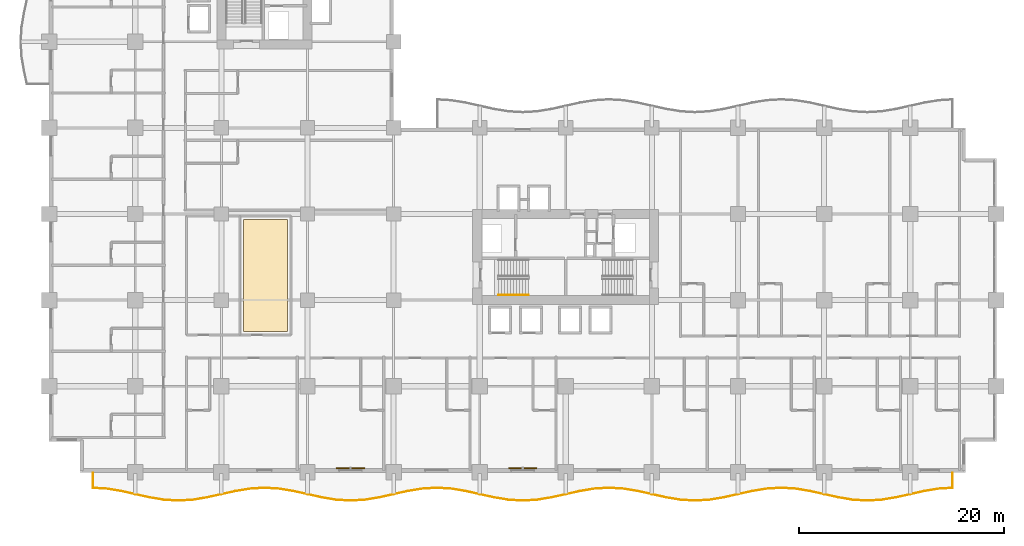
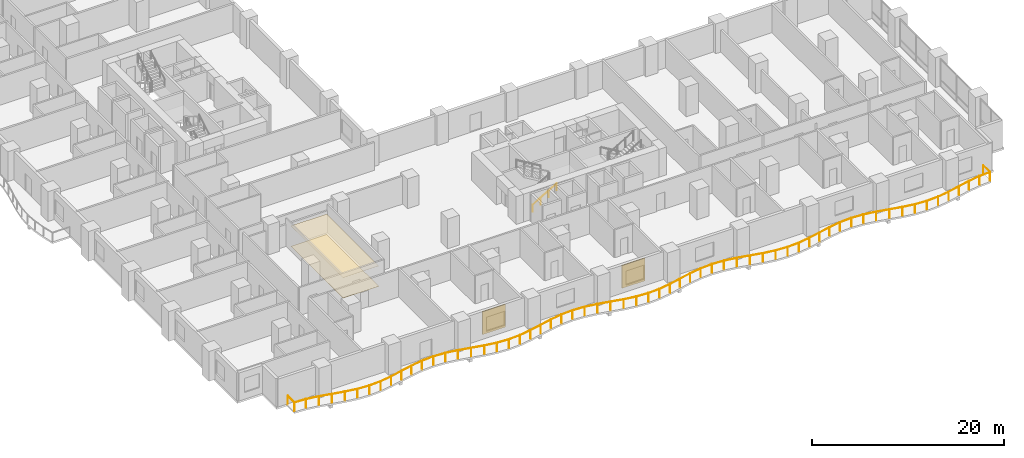
# One storey, part 23 of 26: 2 coverings, 2 railings, 2 shading devices.
"""IFC4 building model written with IfcOpenShell, lengths in metres."""

import ifcopenshell
import ifcopenshell.guid

model = None  # the IFC model being written
_history = None  # IfcOwnerHistory: only IFC2X3 demands one
_inside = {}  # id of a spatial element -> (the spatial element, [elements in it])
_under = {}  # id of a project, library or spatial element -> (it, [spatial elements below it])
_declared = {}  # id of a project -> (the project, [libraries it declares])
_typed = {}  # id of a type object -> (the type object, [elements of that type])
_made_of = {}  # id of a material, layer set ... -> (it, [elements and type objects made of it])


def new_model(schema):
    """Start an empty IFC model of exactly this schema.

    Asked for "IFC4X3", IfcOpenShell would pick the latest addendum, in which some entities
    have other attributes; the version numbers below select the first issue.
    IFC2X3 requires an IfcOwnerHistory on every rooted entity: one is made here for all.
    """
    global model, _history
    if schema == "IFC4X3":
        model = ifcopenshell.file(schema_version=(4, 3, 0, 0))
    else:
        model = ifcopenshell.file(schema=schema)
    _inside.clear()
    _under.clear()
    _declared.clear()
    _typed.clear()
    _made_of.clear()
    _history = None
    if model.schema == "IFC2X3":
        org = make("IfcOrganization", Name="unknown")
        user = make(
            "IfcPersonAndOrganization",
            ThePerson=make("IfcPerson", FamilyName="unknown"),
            TheOrganization=org,
        )
        app = make(
            "IfcApplication",
            ApplicationDeveloper=org,
            Version="unknown",
            ApplicationFullName="unknown",
            ApplicationIdentifier="unknown",
        )
        _history = make(
            "IfcOwnerHistory",
            OwningUser=user,
            OwningApplication=app,
            ChangeAction="ADDED",
            CreationDate=0,
        )
    return model


def make(cls, **values):
    """One entity of the class cls with the attributes given. An attribute that is None is left unset."""
    return model.create_entity(
        cls, **{name: value for name, value in values.items() if value is not None}
    )


def rooted(cls, **values):
    """An entity with a GlobalId (a new one), such as an element, a storey or a relation."""
    return make(cls, GlobalId=ifcopenshell.guid.new(), OwnerHistory=_history, **values)


def si_unit(unit_type, name, prefix=None):
    """IfcSIUnit, for example si_unit("LENGTHUNIT", "METRE", prefix="MILLI")."""
    return make("IfcSIUnit", UnitType=unit_type, Prefix=prefix, Name=name)


def assignment(units):
    """IfcUnitAssignment: the units of a project."""
    return None if units is None else make("IfcUnitAssignment", Units=units)


def point(xyz):
    """IfcCartesianPoint."""
    return None if xyz is None else make("IfcCartesianPoint", Coordinates=xyz)


def direction(xyz):
    """IfcDirection."""
    return None if xyz is None else make("IfcDirection", DirectionRatios=xyz)


def frame(location, z_axis=None, x_axis=None):
    """IfcAxis2Placement3D, a coordinate frame: its origin and axes. An axis left out is left unset."""
    return make(
        "IfcAxis2Placement3D",
        Location=point(location),
        Axis=direction(z_axis),
        RefDirection=direction(x_axis),
    )


def frame_2d(location, x_axis=None):
    """IfcAxis2Placement2D, a coordinate frame in the plane: its origin and x axis."""
    return make(
        "IfcAxis2Placement2D", Location=point(location), RefDirection=direction(x_axis)
    )


def origin():
    """The frame at (0, 0, 0) with its axes left unset."""
    return frame((0.0, 0.0, 0.0))


def origin_2d():
    """The frame at (0, 0) in the plane with its x axis left unset."""
    return frame_2d((0.0, 0.0))


def place(relative_to, where):
    """IfcLocalPlacement: puts the frame where relative to a parent placement (None: the world)."""
    return make(
        "IfcLocalPlacement", PlacementRelTo=relative_to, RelativePlacement=where
    )


def context(
    kind, dimensions, precision=None, world=None, true_north=None, identifier=None
):
    """IfcGeometricRepresentationContext, for example the 3D "Model" context."""
    return make(
        "IfcGeometricRepresentationContext",
        ContextIdentifier=identifier,
        ContextType=kind,
        CoordinateSpaceDimension=dimensions,
        Precision=precision,
        WorldCoordinateSystem=world,
        TrueNorth=true_north,
    )


def subcontext(parent, identifier, kind, view, scale=None):
    """IfcGeometricRepresentationSubContext, for example "Body" below "Model"."""
    return make(
        "IfcGeometricRepresentationSubContext",
        ContextIdentifier=identifier,
        ContextType=kind,
        ParentContext=parent,
        TargetScale=scale,
        TargetView=view,
    )


def project(units=None, contexts=None):
    """IfcProject with its units and contexts."""
    return rooted(
        "IfcProject",
        Name="project",
        RepresentationContexts=contexts,
        UnitsInContext=assignment(units),
    )


def spatial(cls, under=None, at=None, **own):
    """A site, building, storey or space (cls), placed at a placement, below another one or the project."""
    s = rooted(cls, ObjectPlacement=at, **own)
    if under is not None:
        _under.setdefault(under.id(), (under, []))[1].append(s)
    return s


def polyline(points):
    """IfcPolyline through the points."""
    return make("IfcPolyline", Points=[point(p) for p in points])


def profile(cls, at=None, kind="AREA", **sizes):
    """A parametric profile (cls). Its sizes go by their IFC names, for example OverallWidth=200.0."""
    return make(cls, ProfileType=kind, Position=at, **sizes)


def rectangle(**sizes):
    """IfcRectangleProfileDef."""
    return profile("IfcRectangleProfileDef", **sizes)


def circle(**sizes):
    """IfcCircleProfileDef."""
    return profile("IfcCircleProfileDef", **sizes)


def outline(outer, holes=None, kind="AREA"):
    """IfcArbitraryClosedProfileDef: a profile drawn as a closed curve; with holes, ...WithVoids."""
    if holes is None:
        return make("IfcArbitraryClosedProfileDef", ProfileType=kind, OuterCurve=outer)
    return make(
        "IfcArbitraryProfileDefWithVoids",
        ProfileType=kind,
        OuterCurve=outer,
        InnerCurves=holes,
    )


def extrude(swept, where, along, depth):
    """IfcExtrudedAreaSolid: the profile swept, set in the frame where, extruded along a direction by depth."""
    return make(
        "IfcExtrudedAreaSolid",
        SweptArea=swept,
        Position=where,
        ExtrudedDirection=direction(along),
        Depth=depth,
    )


def shape(context_of_items, identifier, shape_type, items):
    """IfcShapeRepresentation: the items that make up one representation, for example the "Body"."""
    return make(
        "IfcShapeRepresentation",
        ContextOfItems=context_of_items,
        RepresentationIdentifier=identifier,
        RepresentationType=shape_type,
        Items=items,
    )


def material(Name=None, Category=None):
    """IfcMaterial."""
    return make("IfcMaterial", Name=Name, Category=Category)


def layer(
    of_material, thickness, ventilated=None, Name=None, Category=None, Priority=None
):
    """IfcMaterialLayer: one layer of a wall or slab, of a material (None: an air gap)."""
    return make(
        "IfcMaterialLayer",
        Material=of_material,
        LayerThickness=thickness,
        IsVentilated=ventilated,
        Name=Name,
        Category=Category,
        Priority=Priority,
    )


def layer_set(layers, Name=None):
    """IfcMaterialLayerSet."""
    return make("IfcMaterialLayerSet", MaterialLayers=layers, LayerSetName=Name)


def made_of(thing, what):
    """Note that an element or type object is made of a material, layer set ...; save() writes the relation."""
    if what is not None:
        _made_of.setdefault(what.id(), (what, []))[1].append(thing)
    return thing


def type_object(cls, material=None, **own):
    """A type object (cls), such as IfcWallType, which elements share."""
    return made_of(rooted(cls, **own), material)


def element(
    cls,
    number,
    at=None,
    inside=None,
    cuts=None,
    type_object=None,
    material=None,
    context=None,
    identifier="Body",
    shape_type=None,
    held_by="IfcProductDefinitionShape",
    body=None,
    shapes=None,
    **own,
):
    """One element of the class cls, such as IfcWall. Its Tag is "e" and its number.

    at: its placement. inside: the storey or other place that contains it. cuts: it is an
    opening in that element (IfcRelVoidsElement). A single representation is given by context,
    identifier, shape_type and body (its items); several are given by shapes. held_by: the class
    of the entity that holds the representations. save() writes the other relations.
    """
    e = rooted(cls, Tag="e%d" % number, ObjectPlacement=at, **own)
    if body is not None:
        shapes = [shape(context, identifier, shape_type, body)]
    if shapes is not None:
        e.Representation = make(held_by, Representations=shapes)
    if inside is not None:
        _inside.setdefault(inside.id(), (inside, []))[1].append(e)
    if cuts is not None:
        rooted(
            "IfcRelVoidsElement", RelatingBuildingElement=cuts, RelatedOpeningElement=e
        )
    if type_object is not None:
        _typed.setdefault(type_object.id(), (type_object, []))[1].append(e)
    return made_of(e, material)


def aggregate(whole, parts):
    """IfcRelAggregates: a whole, such as a stair, and the parts it consists of."""
    return rooted("IfcRelAggregates", RelatingObject=whole, RelatedObjects=parts)


def save(model, path):
    """Write the relations noted so far, then the file.

    IfcRelAggregates (storeys below a building ...), IfcRelContainedInSpatialStructure (elements
    in a storey), IfcRelDefinesByType, IfcRelAssociatesMaterial and IfcRelDeclares: one each for
    every whole, place, type object, material and project.
    """
    for whole, parts in _under.values():
        aggregate(whole, parts)
    for where, things in _inside.values():
        rooted(
            "IfcRelContainedInSpatialStructure",
            RelatedElements=things,
            RelatingStructure=where,
        )
    for kind, things in _typed.values():
        rooted("IfcRelDefinesByType", RelatedObjects=things, RelatingType=kind)
    for what, things in _made_of.values():
        rooted("IfcRelAssociatesMaterial", RelatedObjects=things, RelatingMaterial=what)
    for by, libraries in _declared.values():
        rooted("IfcRelDeclares", RelatingContext=by, RelatedDefinitions=libraries)
    model.write(path)


model = new_model("IFC4")

# Units and contexts
model_context = context("Model", 3, precision=1e-05, world=origin(), true_north=direction((0.0, 1.0)))
body_context = subcontext(model_context, "Body", "Model", "MODEL_VIEW")
ifc_project = project(units=[si_unit("LENGTHUNIT", "METRE"), si_unit("AREAUNIT", "SQUARE_METRE"), si_unit("VOLUMEUNIT", "CUBIC_METRE"), si_unit("PLANEANGLEUNIT", "RADIAN"), si_unit("MASSUNIT", "GRAM", prefix="KILO")], contexts=[model_context])

# Site, building, storey
site_placement = place(None, origin())
site = spatial("IfcSite", under=ifc_project, at=site_placement, CompositionType="ELEMENT")
building_placement = place(site_placement, origin())
building = spatial("IfcBuilding", under=site, at=building_placement, Name="Koriwani Terraces Tower", CompositionType="ELEMENT")
storey_placement = place(building_placement, frame((0.0, 0.0, 39.60009765625)))
storey = spatial("IfcBuildingStorey", under=building, at=storey_placement, Name="L08", CompositionType="ELEMENT", Elevation=39.60009765625)

# Coverings
ifc_material_1 = material(Name="Fire-Rated Acoustic Gypsum Partition", Category="masonry")
ifc_layer_1 = layer(ifc_material_1, 0.02490234375, Name="Fire-Rated Acoustic Gypsum Partition")
ifc_layer_set_1 = layer_set([ifc_layer_1], Name="Fire-Rated Acoustic Gypsum Partition")
covering_type_1 = type_object("IfcCoveringType", Name="CEILING_ACOUSTIC_GYPSUM", PredefinedType="CEILING", material=ifc_layer_set_1)
covering_1_placement = place(storey_placement, frame((0.0, 0.0, 2.60498046875)))
element("IfcCovering", 1, at=covering_1_placement, inside=storey, type_object=covering_type_1, Name="L08 Suspended Acoustic Gypsum Ceiling", PredefinedType="CEILING", context=body_context, shape_type="SweptSolid", body=[
    extrude(outline(polyline([(18.949951171875, 13.75), (18.949951171875, 24.64990234375), (23.25, 24.64990234375), (23.25, 13.75), (18.949951171875, 13.75)])), origin(), (0.0, 0.0, 1.0), 0.02490234375),
])
ifc_material_2 = material(Name="Polished Andean Slate Flooring", Category="masonry")
ifc_layer_2 = layer(ifc_material_2, 0.030029296875, Name="Polished Andean Slate Flooring")
ifc_layer_set_2 = layer_set([ifc_layer_2], Name="Polished Andean Slate Flooring")
covering_type_2 = type_object("IfcCoveringType", Name="FLOORING_ANDEAN_STONE", PredefinedType="FLOORING", material=ifc_layer_set_2)
covering_2_placement = place(storey_placement, origin())
element("IfcCovering", 2, at=covering_2_placement, inside=storey, type_object=covering_type_2, Name="L08 Polished Andean Slate Floor Finish", PredefinedType="FLOORING", context=body_context, shape_type="SweptSolid", body=[
    extrude(outline(polyline([(18.949951171875, 13.75), (18.949951171875, 24.64990234375), (23.25, 24.64990234375), (23.25, 13.75), (18.949951171875, 13.75)])), origin(), (0.0, 0.0, 1.0), 0.02978515625),
])

# Railings
ifc_material_3 = material(Name="Steel ASTM A572 Grade 50", Category="steel")
railing_type_1 = type_object("IfcRailingType", Name="GUARD_BALUSTRADE_1150", PredefinedType="BALUSTRADE", material=ifc_material_3)
railing_1_placement = place(storey_placement, frame((4.280029296875, -0.080078125, 0.0)))
element("IfcRailing", 3, at=railing_1_placement, inside=storey, type_object=railing_type_1, Name="L08 Balcony Perimeter Safety Balustrade (S)", PredefinedType="BALUSTRADE", context=body_context, shape_type="SweptSolid", body=[
    extrude(circle(Radius=0.02392578125, at=origin_2d()), frame((0.0, 0.0, 1.1259765625), z_axis=(0.0, -1.0, 0.0), x_axis=(1.0, 0.0, 0.0)), (0.0, 0.0, 1.0), 1.444580078125),
    extrude(circle(Radius=0.02392578125, at=origin_2d()), frame((0.0, -1.444580078125, 1.1259765625), z_axis=(0.998211199042, -0.059786303672, 0.0), x_axis=(0.059786303672, 0.998211199042, 0.0)), (0.0, 0.0, 1.0), 1.331298828125),
    extrude(circle(Radius=0.02392578125, at=origin_2d()), frame((1.328857421875, -1.524169921875, 1.1259765625), z_axis=(0.986916749742, -0.161230670401, 0.0), x_axis=(0.161230670401, 0.986916749742, 0.0)), (0.0, 0.0, 1.0), 1.4248046875),
    extrude(circle(Radius=0.02392578125, at=origin_2d()), frame((2.735107421875, -1.75390625, 1.1259765625), z_axis=(0.975982393728, -0.217849413893, 0.0), x_axis=(0.217849413893, 0.975982393728, 0.0)), (0.0, 0.0, 1.0), 2.868896484375),
    extrude(circle(Radius=0.02392578125, at=origin_2d()), frame((5.53515625, -2.37890625, 1.1259765625), z_axis=(0.986907622111, -0.161286532042, 0.0), x_axis=(0.161286532042, 0.986907622111, 0.0)), (0.0, 0.0, 1.0), 1.412353515625),
    extrude(circle(Radius=0.02392578125, at=origin_2d()), frame((6.928955078125, -2.606689453125, 1.1259765625), z_axis=(0.998214050326, -0.059738678687, 0.0), x_axis=(0.059738678687, 0.998214050326, 0.0)), (0.0, 0.0, 1.0), 1.3935546875),
    extrude(circle(Radius=0.02392578125, at=origin_2d()), frame((8.320068359375, -2.68994140625, 1.1259765625), z_axis=(0.998214050326, 0.059738678687, 0.0), x_axis=(-0.059738678687, 0.998214050326, 0.0)), (0.0, 0.0, 1.0), 1.3935546875),
    extrude(circle(Radius=0.02392578125, at=origin_2d()), frame((9.711181640625, -2.606689453125, 1.1259765625), z_axis=(0.986903124066, 0.16131405304, 0.0), x_axis=(-0.16131405304, 0.986903124066, 0.0)), (0.0, 0.0, 1.0), 1.412109375),
    extrude(circle(Radius=0.02392578125, at=origin_2d()), frame((11.104736328125, -2.37890625, 1.1259765625), z_axis=(0.975982393728, 0.217849413893, 0.0), x_axis=(-0.217849413893, 0.975982393728, 0.0)), (0.0, 0.0, 1.0), 2.868896484375),
    extrude(circle(Radius=0.02392578125, at=origin_2d()), frame((13.90478515625, -1.75390625, 1.1259765625), z_axis=(0.986921202645, 0.161203411159, 0.0), x_axis=(-0.161203411159, 0.986921202645, 0.0)), (0.0, 0.0, 1.0), 1.425048828125),
    extrude(circle(Radius=0.02392578125, at=origin_2d()), frame((15.311279296875, -1.524169921875, 1.1259765625), z_axis=(0.998217235442, 0.059685432622, 0.0), x_axis=(-0.059685432622, 0.998217235442, 0.0)), (0.0, 0.0, 1.0), 1.4111328125),
    extrude(circle(Radius=0.02392578125, at=origin_2d()), frame((16.719970703125, -1.43994140625, 1.1259765625), z_axis=(0.998217235442, -0.059685432622, 0.0), x_axis=(0.059685432622, 0.998217235442, 0.0)), (0.0, 0.0, 1.0), 1.4111328125),
    extrude(circle(Radius=0.02392578125, at=origin_2d()), frame((18.128662109375, -1.524169921875, 1.1259765625), z_axis=(0.986921202645, -0.161203411159, 0.0), x_axis=(0.161203411159, 0.986921202645, 0.0)), (0.0, 0.0, 1.0), 1.425048828125),
    extrude(circle(Radius=0.02392578125, at=origin_2d()), frame((19.53515625, -1.75390625, 1.1259765625), z_axis=(0.975982393728, -0.217849413893, 0.0), x_axis=(0.217849413893, 0.975982393728, 0.0)), (0.0, 0.0, 1.0), 2.868896484375),
    extrude(circle(Radius=0.02392578125, at=origin_2d()), frame((22.335205078125, -2.37890625, 1.1259765625), z_axis=(0.986903124066, -0.16131405304, 0.0), x_axis=(0.16131405304, 0.986903124066, 0.0)), (0.0, 0.0, 1.0), 1.412109375),
    extrude(circle(Radius=0.02392578125, at=origin_2d()), frame((23.728759765625, -2.606689453125, 1.1259765625), z_axis=(0.998214050326, -0.059738678687, 0.0), x_axis=(0.059738678687, 0.998214050326, 0.0)), (0.0, 0.0, 1.0), 1.3935546875),
    extrude(circle(Radius=0.02392578125, at=origin_2d()), frame((25.119873046875, -2.68994140625, 1.1259765625), z_axis=(0.998214050326, 0.059738678687, 0.0), x_axis=(-0.059738678687, 0.998214050326, 0.0)), (0.0, 0.0, 1.0), 1.3935546875),
    extrude(circle(Radius=0.02392578125, at=origin_2d()), frame((26.510986328125, -2.606689453125, 1.1259765625), z_axis=(0.986907622111, 0.161286532042, 0.0), x_axis=(-0.161286532042, 0.986907622111, 0.0)), (0.0, 0.0, 1.0), 1.412353515625),
    extrude(circle(Radius=0.02392578125, at=origin_2d()), frame((27.90478515625, -2.37890625, 1.1259765625), z_axis=(0.975982393728, 0.217849413893, 0.0), x_axis=(-0.217849413893, 0.975982393728, 0.0)), (0.0, 0.0, 1.0), 2.868896484375),
    extrude(circle(Radius=0.02392578125, at=origin_2d()), frame((30.704833984375, -1.75390625, 1.1259765625), z_axis=(0.986916749742, 0.161230670401, 0.0), x_axis=(-0.161230670401, 0.986916749742, 0.0)), (0.0, 0.0, 1.0), 1.4248046875),
    extrude(circle(Radius=0.02392578125, at=origin_2d()), frame((32.111083984375, -1.524169921875, 1.1259765625), z_axis=(0.998217851573, 0.059675127152, 0.0), x_axis=(-0.059675127152, 0.998217851573, 0.0)), (0.0, 0.0, 1.0), 1.411376953125),
    extrude(circle(Radius=0.02392578125, at=origin_2d()), frame((33.52001953125, -1.43994140625, 1.1259765625), z_axis=(0.998217235442, -0.059685432622, 0.0), x_axis=(0.059685432622, 0.998217235442, 0.0)), (0.0, 0.0, 1.0), 1.4111328125),
    extrude(circle(Radius=0.02392578125, at=origin_2d()), frame((34.9287109375, -1.524169921875, 1.1259765625), z_axis=(0.986921202645, -0.161203411159, 0.0), x_axis=(0.161203411159, 0.986921202645, 0.0)), (0.0, 0.0, 1.0), 1.425048828125),
    extrude(circle(Radius=0.02392578125, at=origin_2d()), frame((36.335205078125, -1.75390625, 1.1259765625), z_axis=(0.975982393728, -0.217849413893, 0.0), x_axis=(0.217849413893, 0.975982393728, 0.0)), (0.0, 0.0, 1.0), 2.868896484375),
    extrude(circle(Radius=0.02392578125, at=origin_2d()), frame((39.13525390625, -2.37890625, 1.1259765625), z_axis=(0.986903124066, -0.16131405304, 0.0), x_axis=(0.16131405304, 0.986903124066, 0.0)), (0.0, 0.0, 1.0), 1.412109375),
    extrude(circle(Radius=0.02392578125, at=origin_2d()), frame((40.52880859375, -2.606689453125, 1.1259765625), z_axis=(0.998214050326, -0.059738678687, 0.0), x_axis=(0.059738678687, 0.998214050326, 0.0)), (0.0, 0.0, 1.0), 1.3935546875),
    extrude(circle(Radius=0.02392578125, at=origin_2d()), frame((41.919921875, -2.68994140625, 1.1259765625), z_axis=(0.998214050326, 0.059738678687, 0.0), x_axis=(-0.059738678687, 0.998214050326, 0.0)), (0.0, 0.0, 1.0), 1.3935546875),
    extrude(circle(Radius=0.02392578125, at=origin_2d()), frame((43.31103515625, -2.606689453125, 1.1259765625), z_axis=(0.986907622111, 0.161286532042, 0.0), x_axis=(-0.161286532042, 0.986907622111, 0.0)), (0.0, 0.0, 1.0), 1.412353515625),
    extrude(circle(Radius=0.02392578125, at=origin_2d()), frame((44.704833984375, -2.37890625, 1.1259765625), z_axis=(0.975982393728, 0.217849413893, 0.0), x_axis=(-0.217849413893, 0.975982393728, 0.0)), (0.0, 0.0, 1.0), 2.868896484375),
    extrude(circle(Radius=0.02392578125, at=origin_2d()), frame((47.5048828125, -1.75390625, 1.1259765625), z_axis=(0.986916749742, 0.161230670401, 0.0), x_axis=(-0.161230670401, 0.986916749742, 0.0)), (0.0, 0.0, 1.0), 1.4248046875),
    extrude(circle(Radius=0.02392578125, at=origin_2d()), frame((48.9111328125, -1.524169921875, 1.1259765625), z_axis=(0.998217851573, 0.059675127152, 0.0), x_axis=(-0.059675127152, 0.998217851573, 0.0)), (0.0, 0.0, 1.0), 1.411376953125),
    extrude(circle(Radius=0.02392578125, at=origin_2d()), frame((50.320068359375, -1.43994140625, 1.1259765625), z_axis=(0.998217235442, -0.059685432622, 0.0), x_axis=(0.059685432622, 0.998217235442, 0.0)), (0.0, 0.0, 1.0), 1.4111328125),
    extrude(circle(Radius=0.02392578125, at=origin_2d()), frame((51.728759765625, -1.524169921875, 1.1259765625), z_axis=(0.986921202645, -0.161203411159, 0.0), x_axis=(0.161203411159, 0.986921202645, 0.0)), (0.0, 0.0, 1.0), 1.425048828125),
    extrude(circle(Radius=0.02392578125, at=origin_2d()), frame((53.13525390625, -1.75390625, 1.1259765625), z_axis=(0.97597835464, -0.217867508535, 0.0), x_axis=(0.217867508535, 0.97597835464, 0.0)), (0.0, 0.0, 1.0), 2.86865234375),
    extrude(circle(Radius=0.02392578125, at=origin_2d()), frame((55.93505859375, -2.37890625, 1.1259765625), z_axis=(0.986907622111, -0.161286532042, 0.0), x_axis=(0.161286532042, 0.986907622111, 0.0)), (0.0, 0.0, 1.0), 1.412353515625),
    extrude(circle(Radius=0.02392578125, at=origin_2d()), frame((57.328857421875, -2.606689453125, 1.1259765625), z_axis=(0.998214050326, -0.059738678687, 0.0), x_axis=(0.059738678687, 0.998214050326, 0.0)), (0.0, 0.0, 1.0), 1.3935546875),
    extrude(circle(Radius=0.02392578125, at=origin_2d()), frame((58.719970703125, -2.68994140625, 1.1259765625), z_axis=(0.998214050326, 0.059738678687, 0.0), x_axis=(-0.059738678687, 0.998214050326, 0.0)), (0.0, 0.0, 1.0), 1.3935546875),
    extrude(circle(Radius=0.02392578125, at=origin_2d()), frame((60.111083984375, -2.606689453125, 1.1259765625), z_axis=(0.986907622111, 0.161286532042, 0.0), x_axis=(-0.161286532042, 0.986907622111, 0.0)), (0.0, 0.0, 1.0), 1.412353515625),
    extrude(circle(Radius=0.02392578125, at=origin_2d()), frame((61.5048828125, -2.37890625, 1.1259765625), z_axis=(0.97597835464, 0.217867508535, 0.0), x_axis=(-0.217867508535, 0.97597835464, 0.0)), (0.0, 0.0, 1.0), 2.86865234375),
    extrude(circle(Radius=0.02392578125, at=origin_2d()), frame((64.3046875, -1.75390625, 1.1259765625), z_axis=(0.986921202645, 0.161203411159, 0.0), x_axis=(-0.161203411159, 0.986921202645, 0.0)), (0.0, 0.0, 1.0), 1.425048828125),
    extrude(circle(Radius=0.02392578125, at=origin_2d()), frame((65.711181640625, -1.524169921875, 1.1259765625), z_axis=(0.998217235442, 0.059685432622, 0.0), x_axis=(-0.059685432622, 0.998217235442, 0.0)), (0.0, 0.0, 1.0), 1.4111328125),
    extrude(circle(Radius=0.02392578125, at=origin_2d()), frame((67.119873046875, -1.43994140625, 1.1259765625), z_axis=(0.998217851573, -0.059675127152, 0.0), x_axis=(0.059675127152, 0.998217851573, 0.0)), (0.0, 0.0, 1.0), 1.411376953125),
    extrude(circle(Radius=0.02392578125, at=origin_2d()), frame((68.52880859375, -1.524169921875, 1.1259765625), z_axis=(0.986916749742, -0.161230670401, 0.0), x_axis=(0.161230670401, 0.986916749742, 0.0)), (0.0, 0.0, 1.0), 1.4248046875),
    extrude(circle(Radius=0.02392578125, at=origin_2d()), frame((69.93505859375, -1.75390625, 1.1259765625), z_axis=(0.975982393728, -0.217849413893, 0.0), x_axis=(0.217849413893, 0.975982393728, 0.0)), (0.0, 0.0, 1.0), 2.868896484375),
    extrude(circle(Radius=0.02392578125, at=origin_2d()), frame((72.735107421875, -2.37890625, 1.1259765625), z_axis=(0.986907622111, -0.161286532042, 0.0), x_axis=(0.161286532042, 0.986907622111, 0.0)), (0.0, 0.0, 1.0), 1.412353515625),
    extrude(circle(Radius=0.02392578125, at=origin_2d()), frame((74.12890625, -2.606689453125, 1.1259765625), z_axis=(0.998214050326, -0.059738678687, 0.0), x_axis=(0.059738678687, 0.998214050326, 0.0)), (0.0, 0.0, 1.0), 1.3935546875),
    extrude(circle(Radius=0.02392578125, at=origin_2d()), frame((75.52001953125, -2.68994140625, 1.1259765625), z_axis=(0.998214050326, 0.059738678687, 0.0), x_axis=(-0.059738678687, 0.998214050326, 0.0)), (0.0, 0.0, 1.0), 1.3935546875),
    extrude(circle(Radius=0.02392578125, at=origin_2d()), frame((76.9111328125, -2.606689453125, 1.1259765625), z_axis=(0.986903124066, 0.16131405304, 0.0), x_axis=(-0.16131405304, 0.986903124066, 0.0)), (0.0, 0.0, 1.0), 1.412109375),
    extrude(circle(Radius=0.02392578125, at=origin_2d()), frame((78.3046875, -2.37890625, 1.1259765625), z_axis=(0.975982393728, 0.217849413893, 0.0), x_axis=(-0.217849413893, 0.975982393728, 0.0)), (0.0, 0.0, 1.0), 2.868896484375),
    extrude(circle(Radius=0.02392578125, at=origin_2d()), frame((81.104736328125, -1.75390625, 1.1259765625), z_axis=(0.986921202645, 0.161203411159, 0.0), x_axis=(-0.161203411159, 0.986921202645, 0.0)), (0.0, 0.0, 1.0), 1.425048828125),
    extrude(circle(Radius=0.02392578125, at=origin_2d()), frame((82.51123046875, -1.524169921875, 1.1259765625), z_axis=(0.998211199042, 0.059786303672, 0.0), x_axis=(-0.059786303672, 0.998211199042, 0.0)), (0.0, 0.0, 1.0), 1.331298828125),
    extrude(circle(Radius=0.02392578125, at=origin_2d()), frame((83.840087890625, -1.444580078125, 1.1259765625), z_axis=(0.0, 1.0, 0.0), x_axis=(-1.0, 0.0, 0.0)), (0.0, 0.0, 1.0), 1.444580078125),
    extrude(circle(Radius=0.02099609375, at=origin_2d()), origin(), (0.0, 0.0, 1.0), 1.101806640625),
    extrude(circle(Radius=0.02099609375, at=origin_2d()), frame((0.0, -1.444580078125, 0.0)), (0.0, 0.0, 1.0), 1.101806640625),
    extrude(circle(Radius=0.02099609375, at=origin_2d()), frame((1.328857421875, -1.524169921875, 0.0)), (0.0, 0.0, 1.0), 1.101806640625),
    extrude(circle(Radius=0.02099609375, at=origin_2d()), frame((2.735107421875, -1.75390625, 0.0)), (0.0, 0.0, 1.0), 1.101806640625),
    extrude(circle(Radius=0.02099609375, at=origin_2d()), frame((4.13525390625, -2.06640625, 0.0)), (0.0, 0.0, 1.0), 1.101806640625),
    extrude(circle(Radius=0.02099609375, at=origin_2d()), frame((5.53515625, -2.37890625, 0.0)), (0.0, 0.0, 1.0), 1.101806640625),
    extrude(circle(Radius=0.02099609375, at=origin_2d()), frame((6.928955078125, -2.606689453125, 0.0)), (0.0, 0.0, 1.0), 1.101806640625),
    extrude(circle(Radius=0.02099609375, at=origin_2d()), frame((8.320068359375, -2.68994140625, 0.0)), (0.0, 0.0, 1.0), 1.101806640625),
    extrude(circle(Radius=0.02099609375, at=origin_2d()), frame((9.711181640625, -2.606689453125, 0.0)), (0.0, 0.0, 1.0), 1.101806640625),
    extrude(circle(Radius=0.02099609375, at=origin_2d()), frame((11.104736328125, -2.37890625, 0.0)), (0.0, 0.0, 1.0), 1.101806640625),
    extrude(circle(Radius=0.02099609375, at=origin_2d()), frame((12.5048828125, -2.06640625, 0.0)), (0.0, 0.0, 1.0), 1.101806640625),
    extrude(circle(Radius=0.02099609375, at=origin_2d()), frame((13.90478515625, -1.75390625, 0.0)), (0.0, 0.0, 1.0), 1.101806640625),
    extrude(circle(Radius=0.02099609375, at=origin_2d()), frame((15.311279296875, -1.524169921875, 0.0)), (0.0, 0.0, 1.0), 1.101806640625),
    extrude(circle(Radius=0.02099609375, at=origin_2d()), frame((16.719970703125, -1.43994140625, 0.0)), (0.0, 0.0, 1.0), 1.101806640625),
    extrude(circle(Radius=0.02099609375, at=origin_2d()), frame((18.128662109375, -1.524169921875, 0.0)), (0.0, 0.0, 1.0), 1.101806640625),
    extrude(circle(Radius=0.02099609375, at=origin_2d()), frame((19.53515625, -1.75390625, 0.0)), (0.0, 0.0, 1.0), 1.101806640625),
    extrude(circle(Radius=0.02099609375, at=origin_2d()), frame((20.93505859375, -2.06640625, 0.0)), (0.0, 0.0, 1.0), 1.101806640625),
    extrude(circle(Radius=0.02099609375, at=origin_2d()), frame((22.335205078125, -2.37890625, 0.0)), (0.0, 0.0, 1.0), 1.101806640625),
    extrude(circle(Radius=0.02099609375, at=origin_2d()), frame((23.728759765625, -2.606689453125, 0.0)), (0.0, 0.0, 1.0), 1.101806640625),
    extrude(circle(Radius=0.02099609375, at=origin_2d()), frame((25.119873046875, -2.68994140625, 0.0)), (0.0, 0.0, 1.0), 1.101806640625),
    extrude(circle(Radius=0.02099609375, at=origin_2d()), frame((26.510986328125, -2.606689453125, 0.0)), (0.0, 0.0, 1.0), 1.101806640625),
    extrude(circle(Radius=0.02099609375, at=origin_2d()), frame((27.90478515625, -2.37890625, 0.0)), (0.0, 0.0, 1.0), 1.101806640625),
    extrude(circle(Radius=0.02099609375, at=origin_2d()), frame((29.3046875, -2.06640625, 0.0)), (0.0, 0.0, 1.0), 1.101806640625),
    extrude(circle(Radius=0.02099609375, at=origin_2d()), frame((30.704833984375, -1.75390625, 0.0)), (0.0, 0.0, 1.0), 1.101806640625),
    extrude(circle(Radius=0.02099609375, at=origin_2d()), frame((32.111083984375, -1.524169921875, 0.0)), (0.0, 0.0, 1.0), 1.101806640625),
    extrude(circle(Radius=0.02099609375, at=origin_2d()), frame((33.52001953125, -1.43994140625, 0.0)), (0.0, 0.0, 1.0), 1.101806640625),
    extrude(circle(Radius=0.02099609375, at=origin_2d()), frame((34.9287109375, -1.524169921875, 0.0)), (0.0, 0.0, 1.0), 1.101806640625),
    extrude(circle(Radius=0.02099609375, at=origin_2d()), frame((36.335205078125, -1.75390625, 0.0)), (0.0, 0.0, 1.0), 1.101806640625),
    extrude(circle(Radius=0.02099609375, at=origin_2d()), frame((37.7353515625, -2.06640625, 0.0)), (0.0, 0.0, 1.0), 1.101806640625),
    extrude(circle(Radius=0.02099609375, at=origin_2d()), frame((39.13525390625, -2.37890625, 0.0)), (0.0, 0.0, 1.0), 1.101806640625),
    extrude(circle(Radius=0.02099609375, at=origin_2d()), frame((40.52880859375, -2.606689453125, 0.0)), (0.0, 0.0, 1.0), 1.101806640625),
    extrude(circle(Radius=0.02099609375, at=origin_2d()), frame((41.919921875, -2.68994140625, 0.0)), (0.0, 0.0, 1.0), 1.101806640625),
    extrude(circle(Radius=0.02099609375, at=origin_2d()), frame((43.31103515625, -2.606689453125, 0.0)), (0.0, 0.0, 1.0), 1.101806640625),
    extrude(circle(Radius=0.02099609375, at=origin_2d()), frame((44.704833984375, -2.37890625, 0.0)), (0.0, 0.0, 1.0), 1.101806640625),
    extrude(circle(Radius=0.02099609375, at=origin_2d()), frame((46.10498046875, -2.06640625, 0.0)), (0.0, 0.0, 1.0), 1.101806640625),
    extrude(circle(Radius=0.02099609375, at=origin_2d()), frame((47.5048828125, -1.75390625, 0.0)), (0.0, 0.0, 1.0), 1.101806640625),
    extrude(circle(Radius=0.02099609375, at=origin_2d()), frame((48.9111328125, -1.524169921875, 0.0)), (0.0, 0.0, 1.0), 1.101806640625),
    extrude(circle(Radius=0.02099609375, at=origin_2d()), frame((50.320068359375, -1.43994140625, 0.0)), (0.0, 0.0, 1.0), 1.101806640625),
    extrude(circle(Radius=0.02099609375, at=origin_2d()), frame((51.728759765625, -1.524169921875, 0.0)), (0.0, 0.0, 1.0), 1.101806640625),
    extrude(circle(Radius=0.02099609375, at=origin_2d()), frame((53.13525390625, -1.75390625, 0.0)), (0.0, 0.0, 1.0), 1.101806640625),
    extrude(circle(Radius=0.02099609375, at=origin_2d()), frame((54.53515625, -2.06640625, 0.0)), (0.0, 0.0, 1.0), 1.101806640625),
    extrude(circle(Radius=0.02099609375, at=origin_2d()), frame((55.93505859375, -2.37890625, 0.0)), (0.0, 0.0, 1.0), 1.101806640625),
    extrude(circle(Radius=0.02099609375, at=origin_2d()), frame((57.328857421875, -2.606689453125, 0.0)), (0.0, 0.0, 1.0), 1.101806640625),
    extrude(circle(Radius=0.02099609375, at=origin_2d()), frame((58.719970703125, -2.68994140625, 0.0)), (0.0, 0.0, 1.0), 1.101806640625),
    extrude(circle(Radius=0.02099609375, at=origin_2d()), frame((60.111083984375, -2.606689453125, 0.0)), (0.0, 0.0, 1.0), 1.101806640625),
    extrude(circle(Radius=0.02099609375, at=origin_2d()), frame((61.5048828125, -2.37890625, 0.0)), (0.0, 0.0, 1.0), 1.101806640625),
    extrude(circle(Radius=0.02099609375, at=origin_2d()), frame((62.90478515625, -2.06640625, 0.0)), (0.0, 0.0, 1.0), 1.101806640625),
    extrude(circle(Radius=0.02099609375, at=origin_2d()), frame((64.3046875, -1.75390625, 0.0)), (0.0, 0.0, 1.0), 1.101806640625),
    extrude(circle(Radius=0.02099609375, at=origin_2d()), frame((65.711181640625, -1.524169921875, 0.0)), (0.0, 0.0, 1.0), 1.101806640625),
    extrude(circle(Radius=0.02099609375, at=origin_2d()), frame((67.119873046875, -1.43994140625, 0.0)), (0.0, 0.0, 1.0), 1.101806640625),
    extrude(circle(Radius=0.02099609375, at=origin_2d()), frame((68.52880859375, -1.524169921875, 0.0)), (0.0, 0.0, 1.0), 1.101806640625),
    extrude(circle(Radius=0.02099609375, at=origin_2d()), frame((69.93505859375, -1.75390625, 0.0)), (0.0, 0.0, 1.0), 1.101806640625),
    extrude(circle(Radius=0.02099609375, at=origin_2d()), frame((71.3349609375, -2.06640625, 0.0)), (0.0, 0.0, 1.0), 1.101806640625),
    extrude(circle(Radius=0.02099609375, at=origin_2d()), frame((72.735107421875, -2.37890625, 0.0)), (0.0, 0.0, 1.0), 1.101806640625),
    extrude(circle(Radius=0.02099609375, at=origin_2d()), frame((74.12890625, -2.606689453125, 0.0)), (0.0, 0.0, 1.0), 1.101806640625),
    extrude(circle(Radius=0.02099609375, at=origin_2d()), frame((75.52001953125, -2.68994140625, 0.0)), (0.0, 0.0, 1.0), 1.101806640625),
    extrude(circle(Radius=0.02099609375, at=origin_2d()), frame((76.9111328125, -2.606689453125, 0.0)), (0.0, 0.0, 1.0), 1.101806640625),
    extrude(circle(Radius=0.02099609375, at=origin_2d()), frame((78.3046875, -2.37890625, 0.0)), (0.0, 0.0, 1.0), 1.101806640625),
    extrude(circle(Radius=0.02099609375, at=origin_2d()), frame((79.70458984375, -2.06640625, 0.0)), (0.0, 0.0, 1.0), 1.101806640625),
    extrude(circle(Radius=0.02099609375, at=origin_2d()), frame((81.104736328125, -1.75390625, 0.0)), (0.0, 0.0, 1.0), 1.101806640625),
    extrude(circle(Radius=0.02099609375, at=origin_2d()), frame((82.51123046875, -1.524169921875, 0.0)), (0.0, 0.0, 1.0), 1.101806640625),
    extrude(circle(Radius=0.02099609375, at=origin_2d()), frame((83.840087890625, -1.444580078125, 0.0)), (0.0, 0.0, 1.0), 1.101806640625),
    extrude(circle(Radius=0.02099609375, at=origin_2d()), frame((83.840087890625, 0.0, 0.0)), (0.0, 0.0, 1.0), 1.101806640625),
])
railing_type_2 = type_object("IfcRailingType", Name="HANDRAIL_STAIR_920", PredefinedType="HANDRAIL", material=ifc_material_3)
railing_2_placement = place(storey_placement, frame((43.85009765625, 17.300048828125, 0.172607421875)))
element("IfcRailing", 4, at=railing_2_placement, inside=storey, type_object=railing_type_2, Name="L08 ST-E1 stair handrail 1", PredefinedType="HANDRAIL", context=body_context, shape_type="SweptSolid", body=[
    extrude(circle(Radius=0.02392578125, at=origin_2d()), frame((0.0, 0.0, 0.8759765625), z_axis=(0.859141464434, 0.0, 0.511738159696), x_axis=(0.0, 1.0, 0.0)), (0.0, 0.0, 1.0), 3.375244140625),
    extrude(circle(Radius=0.02099609375, at=origin_2d()), origin(), (0.0, 0.0, 1.0), 0.851806640625),
    extrude(circle(Radius=0.02099609375, at=origin_2d()), frame((0.966552734375, 0.0, 0.57568359375)), (0.0, 0.0, 1.0), 0.851806640625),
    extrude(circle(Radius=0.02099609375, at=origin_2d()), frame((1.933349609375, 0.0, 1.151611328125)), (0.0, 0.0, 1.0), 0.851806640625),
    extrude(circle(Radius=0.02099609375, at=origin_2d()), frame((2.89990234375, 0.0, 1.727294921875)), (0.0, 0.0, 1.0), 0.851806640625),
])

# Shading devices
ifc_material_4 = material(Name="Extruded Terracotta Clay", Category="masonry")
ifc_layer_3 = layer(ifc_material_4, 0.1201171875, Name="Extruded Terracotta Clay")
ifc_layer_set_3 = layer_set([ifc_layer_3], Name="Extruded Terracotta Clay")
shading_device_type = type_object("IfcShadingDeviceType", Name="TERRACOTTA_BAGUETTE_SCREEN_2800", PredefinedType="USERDEFINED", material=ifc_layer_set_3)
for number, where, z_axis, x_axis, name in (
    (5, (29.39990234375, 0.405029296875, 0.324951171875), (0.0, 0.0, 1.0), (-1.0, 0.0, 0.0), "L08 Extruded Terracotta Baguette Screen (S-9)"),
    (6, (46.199951171875, 0.405029296875, 0.324951171875), (0.0, 0.0, 1.0), (-1.0, 0.0, 0.0), "L08 Extruded Terracotta Baguette Screen (S-15)"),
):
    element("IfcShadingDevice", number, at=place(storey_placement, frame(where, z_axis=z_axis, x_axis=x_axis)), inside=storey, type_object=shading_device_type, Name=name, ObjectType="BAGUETTE", PredefinedType="USERDEFINED", context=body_context, shape_type="SweptSolid", body=[
        extrude(rectangle(XDim=2.760009765625, YDim=0.1201171875, at=origin_2d()), origin(), (0.0, 0.0, 1.0), 2.89990234375),
    ])

save(model, "model.ifc")
